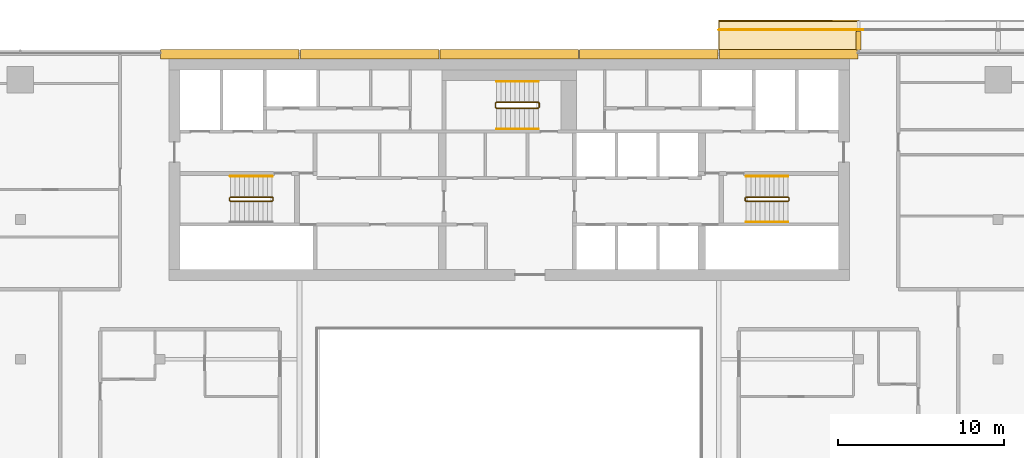
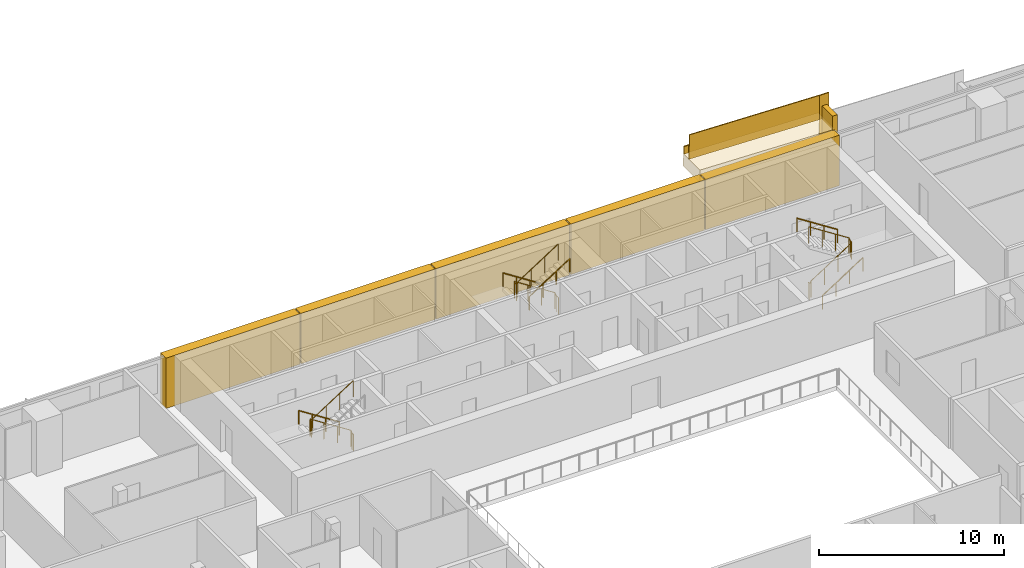
# One storey, part 29 of 31: 10 railings, 8 coverings.
"""IFC4 building model written with IfcOpenShell, lengths in metres."""

import ifcopenshell
import ifcopenshell.guid

model = None  # the IFC model being written
_history = None  # IfcOwnerHistory: only IFC2X3 demands one
_inside = {}  # id of a spatial element -> (the spatial element, [elements in it])
_under = {}  # id of a project, library or spatial element -> (it, [spatial elements below it])
_declared = {}  # id of a project -> (the project, [libraries it declares])
_typed = {}  # id of a type object -> (the type object, [elements of that type])
_made_of = {}  # id of a material, layer set ... -> (it, [elements and type objects made of it])


def new_model(schema):
    """Start an empty IFC model of exactly this schema.

    Asked for "IFC4X3", IfcOpenShell would pick the latest addendum, in which some entities
    have other attributes; the version numbers below select the first issue.
    IFC2X3 requires an IfcOwnerHistory on every rooted entity: one is made here for all.
    """
    global model, _history
    if schema == "IFC4X3":
        model = ifcopenshell.file(schema_version=(4, 3, 0, 0))
    else:
        model = ifcopenshell.file(schema=schema)
    _inside.clear()
    _under.clear()
    _declared.clear()
    _typed.clear()
    _made_of.clear()
    _history = None
    if model.schema == "IFC2X3":
        org = make("IfcOrganization", Name="unknown")
        user = make(
            "IfcPersonAndOrganization",
            ThePerson=make("IfcPerson", FamilyName="unknown"),
            TheOrganization=org,
        )
        app = make(
            "IfcApplication",
            ApplicationDeveloper=org,
            Version="unknown",
            ApplicationFullName="unknown",
            ApplicationIdentifier="unknown",
        )
        _history = make(
            "IfcOwnerHistory",
            OwningUser=user,
            OwningApplication=app,
            ChangeAction="ADDED",
            CreationDate=0,
        )
    return model


def make(cls, **values):
    """One entity of the class cls with the attributes given. An attribute that is None is left unset."""
    return model.create_entity(
        cls, **{name: value for name, value in values.items() if value is not None}
    )


def rooted(cls, **values):
    """An entity with a GlobalId (a new one), such as an element, a storey or a relation."""
    return make(cls, GlobalId=ifcopenshell.guid.new(), OwnerHistory=_history, **values)


def si_unit(unit_type, name, prefix=None):
    """IfcSIUnit, for example si_unit("LENGTHUNIT", "METRE", prefix="MILLI")."""
    return make("IfcSIUnit", UnitType=unit_type, Prefix=prefix, Name=name)


def assignment(units):
    """IfcUnitAssignment: the units of a project."""
    return None if units is None else make("IfcUnitAssignment", Units=units)


def point(xyz):
    """IfcCartesianPoint."""
    return None if xyz is None else make("IfcCartesianPoint", Coordinates=xyz)


def direction(xyz):
    """IfcDirection."""
    return None if xyz is None else make("IfcDirection", DirectionRatios=xyz)


def frame(location, z_axis=None, x_axis=None):
    """IfcAxis2Placement3D, a coordinate frame: its origin and axes. An axis left out is left unset."""
    return make(
        "IfcAxis2Placement3D",
        Location=point(location),
        Axis=direction(z_axis),
        RefDirection=direction(x_axis),
    )


def frame_2d(location, x_axis=None):
    """IfcAxis2Placement2D, a coordinate frame in the plane: its origin and x axis."""
    return make(
        "IfcAxis2Placement2D", Location=point(location), RefDirection=direction(x_axis)
    )


def origin():
    """The frame at (0, 0, 0) with its axes left unset."""
    return frame((0.0, 0.0, 0.0))


def origin_2d():
    """The frame at (0, 0) in the plane with its x axis left unset."""
    return frame_2d((0.0, 0.0))


def place(relative_to, where):
    """IfcLocalPlacement: puts the frame where relative to a parent placement (None: the world)."""
    return make(
        "IfcLocalPlacement", PlacementRelTo=relative_to, RelativePlacement=where
    )


def context(
    kind, dimensions, precision=None, world=None, true_north=None, identifier=None
):
    """IfcGeometricRepresentationContext, for example the 3D "Model" context."""
    return make(
        "IfcGeometricRepresentationContext",
        ContextIdentifier=identifier,
        ContextType=kind,
        CoordinateSpaceDimension=dimensions,
        Precision=precision,
        WorldCoordinateSystem=world,
        TrueNorth=true_north,
    )


def subcontext(parent, identifier, kind, view, scale=None):
    """IfcGeometricRepresentationSubContext, for example "Body" below "Model"."""
    return make(
        "IfcGeometricRepresentationSubContext",
        ContextIdentifier=identifier,
        ContextType=kind,
        ParentContext=parent,
        TargetScale=scale,
        TargetView=view,
    )


def project(units=None, contexts=None):
    """IfcProject with its units and contexts."""
    return rooted(
        "IfcProject",
        Name="project",
        RepresentationContexts=contexts,
        UnitsInContext=assignment(units),
    )


def spatial(cls, under=None, at=None, **own):
    """A site, building, storey or space (cls), placed at a placement, below another one or the project."""
    s = rooted(cls, ObjectPlacement=at, **own)
    if under is not None:
        _under.setdefault(under.id(), (under, []))[1].append(s)
    return s


def polyline(points):
    """IfcPolyline through the points."""
    return make("IfcPolyline", Points=[point(p) for p in points])


def profile(cls, at=None, kind="AREA", **sizes):
    """A parametric profile (cls). Its sizes go by their IFC names, for example OverallWidth=200.0."""
    return make(cls, ProfileType=kind, Position=at, **sizes)


def rectangle(**sizes):
    """IfcRectangleProfileDef."""
    return profile("IfcRectangleProfileDef", **sizes)


def circle(**sizes):
    """IfcCircleProfileDef."""
    return profile("IfcCircleProfileDef", **sizes)


def outline(outer, holes=None, kind="AREA"):
    """IfcArbitraryClosedProfileDef: a profile drawn as a closed curve; with holes, ...WithVoids."""
    if holes is None:
        return make("IfcArbitraryClosedProfileDef", ProfileType=kind, OuterCurve=outer)
    return make(
        "IfcArbitraryProfileDefWithVoids",
        ProfileType=kind,
        OuterCurve=outer,
        InnerCurves=holes,
    )


def extrude(swept, where, along, depth):
    """IfcExtrudedAreaSolid: the profile swept, set in the frame where, extruded along a direction by depth."""
    return make(
        "IfcExtrudedAreaSolid",
        SweptArea=swept,
        Position=where,
        ExtrudedDirection=direction(along),
        Depth=depth,
    )


def shape(context_of_items, identifier, shape_type, items):
    """IfcShapeRepresentation: the items that make up one representation, for example the "Body"."""
    return make(
        "IfcShapeRepresentation",
        ContextOfItems=context_of_items,
        RepresentationIdentifier=identifier,
        RepresentationType=shape_type,
        Items=items,
    )


def material(Name=None, Category=None):
    """IfcMaterial."""
    return make("IfcMaterial", Name=Name, Category=Category)


def layer(
    of_material, thickness, ventilated=None, Name=None, Category=None, Priority=None
):
    """IfcMaterialLayer: one layer of a wall or slab, of a material (None: an air gap)."""
    return make(
        "IfcMaterialLayer",
        Material=of_material,
        LayerThickness=thickness,
        IsVentilated=ventilated,
        Name=Name,
        Category=Category,
        Priority=Priority,
    )


def layer_set(layers, Name=None):
    """IfcMaterialLayerSet."""
    return make("IfcMaterialLayerSet", MaterialLayers=layers, LayerSetName=Name)


def made_of(thing, what):
    """Note that an element or type object is made of a material, layer set ...; save() writes the relation."""
    if what is not None:
        _made_of.setdefault(what.id(), (what, []))[1].append(thing)
    return thing


def type_object(cls, material=None, **own):
    """A type object (cls), such as IfcWallType, which elements share."""
    return made_of(rooted(cls, **own), material)


def element(
    cls,
    number,
    at=None,
    inside=None,
    cuts=None,
    type_object=None,
    material=None,
    context=None,
    identifier="Body",
    shape_type=None,
    held_by="IfcProductDefinitionShape",
    body=None,
    shapes=None,
    **own,
):
    """One element of the class cls, such as IfcWall. Its Tag is "e" and its number.

    at: its placement. inside: the storey or other place that contains it. cuts: it is an
    opening in that element (IfcRelVoidsElement). A single representation is given by context,
    identifier, shape_type and body (its items); several are given by shapes. held_by: the class
    of the entity that holds the representations. save() writes the other relations.
    """
    e = rooted(cls, Tag="e%d" % number, ObjectPlacement=at, **own)
    if body is not None:
        shapes = [shape(context, identifier, shape_type, body)]
    if shapes is not None:
        e.Representation = make(held_by, Representations=shapes)
    if inside is not None:
        _inside.setdefault(inside.id(), (inside, []))[1].append(e)
    if cuts is not None:
        rooted(
            "IfcRelVoidsElement", RelatingBuildingElement=cuts, RelatedOpeningElement=e
        )
    if type_object is not None:
        _typed.setdefault(type_object.id(), (type_object, []))[1].append(e)
    return made_of(e, material)


def aggregate(whole, parts):
    """IfcRelAggregates: a whole, such as a stair, and the parts it consists of."""
    return rooted("IfcRelAggregates", RelatingObject=whole, RelatedObjects=parts)


def save(model, path):
    """Write the relations noted so far, then the file.

    IfcRelAggregates (storeys below a building ...), IfcRelContainedInSpatialStructure (elements
    in a storey), IfcRelDefinesByType, IfcRelAssociatesMaterial and IfcRelDeclares: one each for
    every whole, place, type object, material and project.
    """
    for whole, parts in _under.values():
        aggregate(whole, parts)
    for where, things in _inside.values():
        rooted(
            "IfcRelContainedInSpatialStructure",
            RelatedElements=things,
            RelatingStructure=where,
        )
    for kind, things in _typed.values():
        rooted("IfcRelDefinesByType", RelatedObjects=things, RelatingType=kind)
    for what, things in _made_of.values():
        rooted("IfcRelAssociatesMaterial", RelatedObjects=things, RelatingMaterial=what)
    for by, libraries in _declared.values():
        rooted("IfcRelDeclares", RelatingContext=by, RelatedDefinitions=libraries)
    model.write(path)


model = new_model("IFC4")

# Units and contexts
model_context = context("Model", 3, precision=1e-05, world=origin(), true_north=direction((0.0, 1.0)))
body_context = subcontext(model_context, "Body", "Model", "MODEL_VIEW")
ifc_project = project(units=[si_unit("LENGTHUNIT", "METRE"), si_unit("AREAUNIT", "SQUARE_METRE"), si_unit("VOLUMEUNIT", "CUBIC_METRE"), si_unit("PLANEANGLEUNIT", "RADIAN"), si_unit("MASSUNIT", "GRAM", prefix="KILO")], contexts=[model_context])

# Site, building, storey
site_placement = place(None, origin())
site = spatial("IfcSite", under=ifc_project, at=site_placement, CompositionType="ELEMENT")
building_placement = place(site_placement, origin())
building = spatial("IfcBuilding", under=site, at=building_placement, Name="Saffron Gate Tower", CompositionType="ELEMENT")
storey_placement = place(building_placement, frame((0.0, 0.0, 205.5)))
storey = spatial("IfcBuildingStorey", under=building, at=storey_placement, Name="L49", CompositionType="ELEMENT", Elevation=205.5)

# Coverings
ifc_material_1 = material(Name="Ceramic-printed bronze insulated panel")
ifc_layer_1 = layer(ifc_material_1, 0.590087890625)
ifc_layer_set_1 = layer_set([ifc_layer_1], Name="CLD4 ceramic-printed cladding panel 590")
covering_type_1 = type_object("IfcCoveringType", Name="CLD4 ceramic-printed cladding panel 590", PredefinedType="CLADDING", material=ifc_layer_set_1)
covering_1_placement = place(storey_placement, origin())
element("IfcCovering", 1, at=covering_1_placement, inside=storey, type_object=covering_type_1, Name="CLADDING ceramic-printed panel", PredefinedType="CLADDING", context=body_context, shape_type="SweptSolid", body=[
    extrude(outline(polyline([(108.56494140625, 75.639892578125), (100.235107421875, 75.639892578125), (100.235107421875, 75.050048828125), (108.56494140625, 75.050048828125), (108.56494140625, 75.639892578125)])), origin(), (0.0, 0.0, 1.0), 3.320068359375),
])
covering_2_placement = place(storey_placement, origin())
element("IfcCovering", 2, at=covering_2_placement, inside=storey, type_object=covering_type_1, Name="CLADDING ceramic-printed panel", PredefinedType="CLADDING", context=body_context, shape_type="SweptSolid", body=[
    extrude(outline(polyline([(100.1650390625, 75.639892578125), (91.8349609375, 75.639892578125), (91.8349609375, 75.050048828125), (100.1650390625, 75.050048828125), (100.1650390625, 75.639892578125)])), origin(), (0.0, 0.0, 1.0), 3.320068359375),
])
covering_3_placement = place(storey_placement, origin())
element("IfcCovering", 3, at=covering_3_placement, inside=storey, type_object=covering_type_1, Name="CLADDING ceramic-printed panel", PredefinedType="CLADDING", context=body_context, shape_type="SweptSolid", body=[
    extrude(outline(polyline([(91.764892578125, 75.639892578125), (83.43505859375, 75.639892578125), (83.43505859375, 75.050048828125), (91.764892578125, 75.050048828125), (91.764892578125, 75.639892578125)])), origin(), (0.0, 0.0, 1.0), 3.320068359375),
])
covering_4_placement = place(storey_placement, origin())
element("IfcCovering", 4, at=covering_4_placement, inside=storey, type_object=covering_type_1, Name="CLADDING ceramic-printed panel", PredefinedType="CLADDING", context=body_context, shape_type="SweptSolid", body=[
    extrude(outline(polyline([(83.364990234375, 75.639892578125), (75.034912109375, 75.639892578125), (75.034912109375, 75.050048828125), (83.364990234375, 75.050048828125), (83.364990234375, 75.639892578125)])), origin(), (0.0, 0.0, 1.0), 3.320068359375),
])
covering_5_placement = place(storey_placement, origin())
element("IfcCovering", 5, at=covering_5_placement, inside=storey, type_object=covering_type_1, Name="CLADDING ceramic-printed panel", PredefinedType="CLADDING", context=body_context, shape_type="SweptSolid", body=[
    extrude(outline(polyline([(74.965087890625, 75.639892578125), (66.635009765625, 75.639892578125), (66.635009765625, 75.050048828125), (74.965087890625, 75.050048828125), (74.965087890625, 75.639892578125)])), origin(), (0.0, 0.0, 1.0), 3.320068359375),
])

# Railings
ifc_material_2 = material(Name="Stainless steel and laminated glass", Category="steel")
railing_type_1 = type_object("IfcRailingType", Name="CR1 Stair guard 1100", PredefinedType="GUARDRAIL", material=ifc_material_2)
railing_1_placement = place(storey_placement, frame((73.39990234375, 66.550048828125, 0.0)))
element("IfcRailing", 6, at=railing_1_placement, inside=storey, type_object=railing_type_1, Name="L49 ST-A stair guard 1", PredefinedType="GUARDRAIL", context=body_context, shape_type="SweptSolid", body=[
    extrude(circle(Radius=0.02392578125, at=origin_2d()), frame((0.0, 0.0, 1.076171875), z_axis=(0.0, 1.0, 0.0), x_axis=(-1.0, 0.0, 0.0)), (0.0, 0.0, 1.0), 0.14990234375),
    extrude(circle(Radius=0.02392578125, at=origin_2d()), frame((0.0, 0.14990234375, 1.076171875), z_axis=(-0.257669022063, 0.258932105505, 0.930892496375), x_axis=(-0.708833529934, -0.705375805398, 0.0)), (0.0, 0.0, 1.0), 0.193359375),
    extrude(circle(Radius=0.02392578125, at=origin_2d()), frame((-0.0498046875, 0.199951171875, 1.255859375), z_axis=(-0.841162588446, 0.0, 0.540782303519), x_axis=(0.0, -1.0, 0.0)), (0.0, 0.0, 1.0), 2.995849609375),
    extrude(circle(Radius=0.02392578125, at=origin_2d()), frame((-2.56982421875, 0.199951171875, 2.8759765625), z_axis=(-0.707106781187, -0.707106781187, 0.0), x_axis=(0.707106781187, -0.707106781187, 0.0)), (0.0, 0.0, 1.0), 0.07080078125),
    extrude(circle(Radius=0.02392578125, at=origin_2d()), frame((-2.619873046875, 0.14990234375, 2.8759765625), z_axis=(0.0, -1.0, 0.0), x_axis=(1.0, 0.0, 0.0)), (0.0, 0.0, 1.0), 0.14990234375),
    extrude(circle(Radius=0.02392578125, at=origin_2d()), frame((-2.619873046875, 0.0, 2.8759765625), z_axis=(0.258847668887, -0.258847668887, 0.930588936439), x_axis=(0.707106781187, 0.707106781187, 0.0)), (0.0, 0.0, 1.0), 0.193359375),
    extrude(circle(Radius=0.02392578125, at=origin_2d()), frame((-2.56982421875, -0.050048828125, 3.05615234375), z_axis=(0.841162588446, 0.0, 0.540782303519), x_axis=(0.0, 1.0, 0.0)), (0.0, 0.0, 1.0), 2.995849609375),
    extrude(circle(Radius=0.02099609375, at=origin_2d()), origin(), (0.0, 0.0, 1.0), 1.052001953125),
    extrude(circle(Radius=0.02099609375, at=origin_2d()), frame((0.0, 0.14990234375, 0.0)), (0.0, 0.0, 1.0), 1.052001953125),
    extrude(circle(Radius=0.02099609375, at=origin_2d()), frame((-0.0498046875, 0.199951171875, 0.179931640625)), (0.0, 0.0, 1.0), 1.052001953125),
    extrude(circle(Radius=0.02099609375, at=origin_2d()), frame((-0.889892578125, 0.199951171875, 0.719970703125)), (0.0, 0.0, 1.0), 1.052001953125),
    extrude(circle(Radius=0.02099609375, at=origin_2d()), frame((-1.729736328125, 0.199951171875, 1.260009765625)), (0.0, 0.0, 1.0), 1.052001953125),
    extrude(circle(Radius=0.02099609375, at=origin_2d()), frame((-2.56982421875, 0.199951171875, 1.800048828125)), (0.0, 0.0, 1.0), 1.052001953125),
    extrude(circle(Radius=0.02099609375, at=origin_2d()), frame((-2.619873046875, 0.14990234375, 1.800048828125)), (0.0, 0.0, 1.0), 1.052001953125),
    extrude(circle(Radius=0.02099609375, at=origin_2d()), frame((-2.619873046875, 0.0, 1.800048828125)), (0.0, 0.0, 1.0), 1.052001953125),
    extrude(circle(Radius=0.02099609375, at=origin_2d()), frame((-2.56982421875, -0.050048828125, 1.97998046875)), (0.0, 0.0, 1.0), 1.052001953125),
    extrude(circle(Radius=0.02099609375, at=origin_2d()), frame((-1.729736328125, -0.050048828125, 2.52001953125)), (0.0, 0.0, 1.0), 1.052001953125),
    extrude(circle(Radius=0.02099609375, at=origin_2d()), frame((-0.889892578125, -0.050048828125, 3.06005859375)), (0.0, 0.0, 1.0), 1.052001953125),
    extrude(circle(Radius=0.02099609375, at=origin_2d()), frame((-0.0498046875, -0.050048828125, 3.60009765625)), (0.0, 0.0, 1.0), 1.052001953125),
])
railing_2_placement = place(storey_placement, frame((101.800048828125, 66.699951171875, 0.0)))
element("IfcRailing", 7, at=railing_2_placement, inside=storey, type_object=railing_type_1, Name="L49 ST-B stair guard 1", PredefinedType="GUARDRAIL", context=body_context, shape_type="SweptSolid", body=[
    extrude(circle(Radius=0.02392578125, at=origin_2d()), frame((0.0, 0.0, 1.076171875), z_axis=(0.0, -1.0, 0.0), x_axis=(1.0, 0.0, 0.0)), (0.0, 0.0, 1.0), 0.14990234375),
    extrude(circle(Radius=0.02392578125, at=origin_2d()), frame((0.0, -0.14990234375, 1.076171875), z_axis=(0.258847668887, -0.258847668887, 0.930588936439), x_axis=(0.707106781187, 0.707106781187, 0.0)), (0.0, 0.0, 1.0), 0.193359375),
    extrude(circle(Radius=0.02392578125, at=origin_2d()), frame((0.050048828125, -0.199951171875, 1.255859375), z_axis=(0.841162588446, 0.0, 0.540782303519), x_axis=(0.0, 1.0, 0.0)), (0.0, 0.0, 1.0), 2.995849609375),
    extrude(circle(Radius=0.02392578125, at=origin_2d()), frame((2.570068359375, -0.199951171875, 2.8759765625), z_axis=(0.705375805398, 0.708833529934, 0.0), x_axis=(-0.708833529934, 0.705375805398, 0.0)), (0.0, 0.0, 1.0), 0.070556640625),
    extrude(circle(Radius=0.02392578125, at=origin_2d()), frame((2.619873046875, -0.14990234375, 2.8759765625), z_axis=(0.0, 1.0, 0.0), x_axis=(-1.0, 0.0, 0.0)), (0.0, 0.0, 1.0), 0.14990234375),
    extrude(circle(Radius=0.02392578125, at=origin_2d()), frame((2.619873046875, 0.0, 2.8759765625), z_axis=(-0.257669022063, 0.258932105505, 0.930892496375), x_axis=(-0.708833529934, -0.705375805398, 0.0)), (0.0, 0.0, 1.0), 0.193359375),
    extrude(circle(Radius=0.02392578125, at=origin_2d()), frame((2.570068359375, 0.050048828125, 3.05615234375), z_axis=(-0.841162588446, 0.0, 0.540782303519), x_axis=(0.0, -1.0, 0.0)), (0.0, 0.0, 1.0), 2.995849609375),
    extrude(circle(Radius=0.02099609375, at=origin_2d()), origin(), (0.0, 0.0, 1.0), 1.052001953125),
    extrude(circle(Radius=0.02099609375, at=origin_2d()), frame((0.0, -0.14990234375, 0.0)), (0.0, 0.0, 1.0), 1.052001953125),
    extrude(circle(Radius=0.02099609375, at=origin_2d()), frame((0.050048828125, -0.199951171875, 0.179931640625)), (0.0, 0.0, 1.0), 1.052001953125),
    extrude(circle(Radius=0.02099609375, at=origin_2d()), frame((0.89013671875, -0.199951171875, 0.719970703125)), (0.0, 0.0, 1.0), 1.052001953125),
    extrude(circle(Radius=0.02099609375, at=origin_2d()), frame((1.72998046875, -0.199951171875, 1.260009765625)), (0.0, 0.0, 1.0), 1.052001953125),
    extrude(circle(Radius=0.02099609375, at=origin_2d()), frame((2.570068359375, -0.199951171875, 1.800048828125)), (0.0, 0.0, 1.0), 1.052001953125),
    extrude(circle(Radius=0.02099609375, at=origin_2d()), frame((2.619873046875, -0.14990234375, 1.800048828125)), (0.0, 0.0, 1.0), 1.052001953125),
    extrude(circle(Radius=0.02099609375, at=origin_2d()), frame((2.619873046875, 0.0, 1.800048828125)), (0.0, 0.0, 1.0), 1.052001953125),
    extrude(circle(Radius=0.02099609375, at=origin_2d()), frame((2.570068359375, 0.050048828125, 1.97998046875)), (0.0, 0.0, 1.0), 1.052001953125),
    extrude(circle(Radius=0.02099609375, at=origin_2d()), frame((1.72998046875, 0.050048828125, 2.52001953125)), (0.0, 0.0, 1.0), 1.052001953125),
    extrude(circle(Radius=0.02099609375, at=origin_2d()), frame((0.89013671875, 0.050048828125, 3.06005859375)), (0.0, 0.0, 1.0), 1.052001953125),
    extrude(circle(Radius=0.02099609375, at=origin_2d()), frame((0.050048828125, 0.050048828125, 3.60009765625)), (0.0, 0.0, 1.0), 1.052001953125),
])
railing_3_placement = place(storey_placement, frame((89.39990234375, 72.14990234375, 0.0)))
element("IfcRailing", 8, at=railing_3_placement, inside=storey, type_object=railing_type_1, Name="L49 ST-C stair guard 1", PredefinedType="GUARDRAIL", context=body_context, shape_type="SweptSolid", body=[
    extrude(circle(Radius=0.02392578125, at=origin_2d()), frame((0.0, 0.0, 1.076171875), z_axis=(0.0, 1.0, 0.0), x_axis=(-1.0, 0.0, 0.0)), (0.0, 0.0, 1.0), 0.25),
    extrude(circle(Radius=0.02392578125, at=origin_2d()), frame((0.0, 0.25, 1.076171875), z_axis=(-0.257669022063, 0.258932105505, 0.930892496375), x_axis=(-0.708833529934, -0.705375805398, 0.0)), (0.0, 0.0, 1.0), 0.193359375),
    extrude(circle(Radius=0.02392578125, at=origin_2d()), frame((-0.0498046875, 0.300048828125, 1.255859375), z_axis=(-0.841162588446, 0.0, 0.540782303519), x_axis=(0.0, -1.0, 0.0)), (0.0, 0.0, 1.0), 2.995849609375),
    extrude(circle(Radius=0.02392578125, at=origin_2d()), frame((-2.56982421875, 0.300048828125, 2.8759765625), z_axis=(-0.707106781187, -0.707106781187, 0.0), x_axis=(0.707106781187, -0.707106781187, 0.0)), (0.0, 0.0, 1.0), 0.07080078125),
    extrude(circle(Radius=0.02392578125, at=origin_2d()), frame((-2.619873046875, 0.25, 2.8759765625), z_axis=(0.0, -1.0, 0.0), x_axis=(1.0, 0.0, 0.0)), (0.0, 0.0, 1.0), 0.25),
    extrude(circle(Radius=0.02392578125, at=origin_2d()), frame((-2.619873046875, 0.0, 2.8759765625), z_axis=(0.258932105505, -0.257669022063, 0.930892496375), x_axis=(0.705375805398, 0.708833529934, 0.0)), (0.0, 0.0, 1.0), 0.193359375),
    extrude(circle(Radius=0.02392578125, at=origin_2d()), frame((-2.56982421875, -0.0498046875, 3.05615234375), z_axis=(0.841162588446, 0.0, 0.540782303519), x_axis=(0.0, 1.0, 0.0)), (0.0, 0.0, 1.0), 2.995849609375),
    extrude(circle(Radius=0.02099609375, at=origin_2d()), origin(), (0.0, 0.0, 1.0), 1.052001953125),
    extrude(circle(Radius=0.02099609375, at=origin_2d()), frame((0.0, 0.25, 0.0)), (0.0, 0.0, 1.0), 1.052001953125),
    extrude(circle(Radius=0.02099609375, at=origin_2d()), frame((-0.0498046875, 0.300048828125, 0.179931640625)), (0.0, 0.0, 1.0), 1.052001953125),
    extrude(circle(Radius=0.02099609375, at=origin_2d()), frame((-0.889892578125, 0.300048828125, 0.719970703125)), (0.0, 0.0, 1.0), 1.052001953125),
    extrude(circle(Radius=0.02099609375, at=origin_2d()), frame((-1.729736328125, 0.300048828125, 1.260009765625)), (0.0, 0.0, 1.0), 1.052001953125),
    extrude(circle(Radius=0.02099609375, at=origin_2d()), frame((-2.56982421875, 0.300048828125, 1.800048828125)), (0.0, 0.0, 1.0), 1.052001953125),
    extrude(circle(Radius=0.02099609375, at=origin_2d()), frame((-2.619873046875, 0.25, 1.800048828125)), (0.0, 0.0, 1.0), 1.052001953125),
    extrude(circle(Radius=0.02099609375, at=origin_2d()), frame((-2.619873046875, 0.0, 1.800048828125)), (0.0, 0.0, 1.0), 1.052001953125),
    extrude(circle(Radius=0.02099609375, at=origin_2d()), frame((-2.56982421875, -0.0498046875, 1.97998046875)), (0.0, 0.0, 1.0), 1.052001953125),
    extrude(circle(Radius=0.02099609375, at=origin_2d()), frame((-1.729736328125, -0.0498046875, 2.52001953125)), (0.0, 0.0, 1.0), 1.052001953125),
    extrude(circle(Radius=0.02099609375, at=origin_2d()), frame((-0.889892578125, -0.0498046875, 3.06005859375)), (0.0, 0.0, 1.0), 1.052001953125),
    extrude(circle(Radius=0.02099609375, at=origin_2d()), frame((-0.0498046875, -0.0498046875, 3.60009765625)), (0.0, 0.0, 1.0), 1.052001953125),
])
ifc_material_3 = material(Name="Stainless steel", Category="steel")
railing_type_2 = type_object("IfcRailingType", Name="CR2 Stair handrail 900", PredefinedType="HANDRAIL", material=ifc_material_3)
railing_4_placement = place(storey_placement, frame((73.35009765625, 68.0, 0.179931640625)))
element("IfcRailing", 9, at=railing_4_placement, inside=storey, type_object=railing_type_2, Name="L49 ST-A stair handrail 1", PredefinedType="HANDRAIL", context=body_context, shape_type="SweptSolid", body=[
    extrude(circle(Radius=0.02392578125, at=origin_2d()), frame((0.0, 0.0, 0.8759765625), z_axis=(-0.841162588446, 0.0, 0.540782303519), x_axis=(0.0, -1.0, 0.0)), (0.0, 0.0, 1.0), 2.995849609375),
    extrude(circle(Radius=0.02099609375, at=origin_2d()), origin(), (0.0, 0.0, 1.0), 0.851806640625),
    extrude(circle(Radius=0.02099609375, at=origin_2d()), frame((-0.840087890625, 0.0, 0.5400390625)), (0.0, 0.0, 1.0), 0.851806640625),
    extrude(circle(Radius=0.02099609375, at=origin_2d()), frame((-1.679931640625, 0.0, 1.080078125)), (0.0, 0.0, 1.0), 0.851806640625),
    extrude(circle(Radius=0.02099609375, at=origin_2d()), frame((-2.52001953125, 0.0, 1.6201171875)), (0.0, 0.0, 1.0), 0.851806640625),
])
railing_5_placement = place(storey_placement, frame((101.85009765625, 65.25, 0.179931640625)))
element("IfcRailing", 10, at=railing_5_placement, inside=storey, type_object=railing_type_2, Name="L49 ST-B stair handrail 1", PredefinedType="HANDRAIL", context=body_context, shape_type="SweptSolid", body=[
    extrude(circle(Radius=0.02392578125, at=origin_2d()), frame((0.0, 0.0, 0.8759765625), z_axis=(0.841162588446, 0.0, 0.540782303519), x_axis=(0.0, 1.0, 0.0)), (0.0, 0.0, 1.0), 2.995849609375),
    extrude(circle(Radius=0.02099609375, at=origin_2d()), origin(), (0.0, 0.0, 1.0), 0.851806640625),
    extrude(circle(Radius=0.02099609375, at=origin_2d()), frame((0.840087890625, 0.0, 0.5400390625)), (0.0, 0.0, 1.0), 0.851806640625),
    extrude(circle(Radius=0.02099609375, at=origin_2d()), frame((1.679931640625, 0.0, 1.080078125)), (0.0, 0.0, 1.0), 0.851806640625),
    extrude(circle(Radius=0.02099609375, at=origin_2d()), frame((2.52001953125, 0.0, 1.6201171875)), (0.0, 0.0, 1.0), 0.851806640625),
])
for number, where, name in (
    (11, (104.3701171875, 68.0, 1.97998046875), "L49 ST-B stair handrail 2"),
    (12, (89.35009765625, 73.699951171875, 0.179931640625), "L49 ST-C stair handrail 1"),
):
    element("IfcRailing", number, at=place(storey_placement, frame(where)), inside=storey, type_object=railing_type_2, Name=name, PredefinedType="HANDRAIL", context=body_context, shape_type="SweptSolid", body=[
        extrude(circle(Radius=0.02392578125, at=origin_2d()), frame((0.0, 0.0, 0.8759765625), z_axis=(-0.841162588446, 0.0, 0.540782303519), x_axis=(0.0, -1.0, 0.0)), (0.0, 0.0, 1.0), 2.995849609375),
        extrude(circle(Radius=0.02099609375, at=origin_2d()), origin(), (0.0, 0.0, 1.0), 0.851806640625),
        extrude(circle(Radius=0.02099609375, at=origin_2d()), frame((-0.840087890625, 0.0, 0.5400390625)), (0.0, 0.0, 1.0), 0.851806640625),
        extrude(circle(Radius=0.02099609375, at=origin_2d()), frame((-1.679931640625, 0.0, 1.080078125)), (0.0, 0.0, 1.0), 0.851806640625),
        extrude(circle(Radius=0.02099609375, at=origin_2d()), frame((-2.52001953125, 0.0, 1.6201171875)), (0.0, 0.0, 1.0), 0.851806640625),
    ])
railing_6_placement = place(storey_placement, frame((86.830078125, 70.85009765625, 1.97998046875)))
element("IfcRailing", 13, at=railing_6_placement, inside=storey, type_object=railing_type_2, Name="L49 ST-C stair handrail 2", PredefinedType="HANDRAIL", context=body_context, shape_type="SweptSolid", body=[
    extrude(circle(Radius=0.02392578125, at=origin_2d()), frame((0.0, 0.0, 0.8759765625), z_axis=(0.841162588446, 0.0, 0.540782303519), x_axis=(0.0, 1.0, 0.0)), (0.0, 0.0, 1.0), 2.995849609375),
    extrude(circle(Radius=0.02099609375, at=origin_2d()), origin(), (0.0, 0.0, 1.0), 0.851806640625),
    extrude(circle(Radius=0.02099609375, at=origin_2d()), frame((0.840087890625, 0.0, 0.5400390625)), (0.0, 0.0, 1.0), 0.851806640625),
    extrude(circle(Radius=0.02099609375, at=origin_2d()), frame((1.679931640625, 0.0, 1.080078125)), (0.0, 0.0, 1.0), 0.851806640625),
    extrude(circle(Radius=0.02099609375, at=origin_2d()), frame((2.52001953125, 0.0, 1.6201171875)), (0.0, 0.0, 1.0), 0.851806640625),
])

# Coverings
ifc_material_4 = material(Name="Timber, thermally modified ash", Category="wood")
ifc_layer_2 = layer(ifc_material_4, 0.800048828125)
ifc_layer_set_2 = layer_set([ifc_layer_2], Name="LD1 ledge timber")
covering_type_2 = type_object("IfcCoveringType", Name="LD1 ledge timber", PredefinedType="CLADDING", material=ifc_layer_set_2)
covering_6_placement = place(storey_placement, frame((108.60009765625, 75.60009765625, 3.37255859375), z_axis=(0.028790339263, 0.0, 0.999585472266), x_axis=(-0.999585472266, 0.0, 0.028790339263)))
element("IfcCovering", 14, at=covering_6_placement, inside=storey, type_object=covering_type_2, Name="LEDGE", PredefinedType="CLADDING", context=body_context, shape_type="SweptSolid", body=[
    extrude(outline(polyline([(0.0, 0.0), (8.403630022085892, 0.0), (8.403630022085892, -1.7998046875), (0.0, -1.7998046875), (0.0, 0.0)])), origin(), (0.0, 0.0, -1.0), 0.800048828125),
])
ifc_layer_3 = layer(ifc_material_4, 0.080078125)
ifc_layer_set_3 = layer_set([ifc_layer_3], Name="LD2 ledge planter trough")
covering_type_3 = type_object("IfcCoveringType", Name="LD2 ledge planter trough", PredefinedType="CLADDING", material=ifc_layer_set_3)
covering_7_placement = place(storey_placement, frame((108.60009765625, 77.39990234375, 3.37255859375), z_axis=(0.0, 1.0, 0.0), x_axis=(-0.999585472266, 0.0, 0.028790339263)))
element("IfcCovering", 15, at=covering_7_placement, inside=storey, type_object=covering_type_3, Name="LEDGE planter trough", PredefinedType="CLADDING", context=body_context, shape_type="SweptSolid", body=[
    extrude(outline(polyline([(0.0, 0.0), (8.403630022085892, 0.0), (8.418025191717298, 0.4997927361329725), (0.014395169631405694, 0.4997927361329725), (0.0, 0.0)])), origin(), (0.0, 0.0, -1.0), 0.080078125),
])
ifc_layer_4 = layer(ifc_material_4, 0.300048828125)
ifc_layer_set_4 = layer_set([ifc_layer_4], Name="LD3 ledge riser fin")
covering_type_4 = type_object("IfcCoveringType", Name="LD3 ledge riser fin", PredefinedType="CLADDING", material=ifc_layer_set_4)
covering_8_placement = place(storey_placement, frame((108.60009765625, 76.159912109375, 1.372314453125), z_axis=(0.0, 0.0, 1.0), x_axis=(-1.0, 0.0, 0.0)))
element("IfcCovering", 16, at=covering_8_placement, inside=storey, type_object=covering_type_4, Name="LEDGE riser fin", PredefinedType="CLADDING", context=body_context, shape_type="SweptSolid", body=[
    extrude(rectangle(XDim=0.300048828125, YDim=1.1201171875, at=origin_2d()), origin(), (0.0, 0.0, 1.0), 2.900390625),
])

# Railings
railing_type_3 = type_object("IfcRailingType", Name="LG1 ledge balustrade", PredefinedType="BALUSTRADE", material=ifc_material_4)
railing_7_placement = place(storey_placement, frame((108.60009765625, 76.800048828125, 3.37255859375)))
element("IfcRailing", 17, at=railing_7_placement, inside=storey, type_object=railing_type_3, Name="LEDGE BALUSTRADE", PredefinedType="BALUSTRADE", context=body_context, shape_type="SweptSolid", body=[
    extrude(rectangle(XDim=0.06005859375, YDim=1.60009765625, at=origin_2d()), frame((0.0, 0.0, 0.800048828125), z_axis=(-0.999585472266, 0.0, 0.028790339263), x_axis=(0.0, -1.0, 0.0)), (0.0, 0.0, 1.0), 8.403564453125),
])
railing_8_placement = place(storey_placement, frame((108.89990234375, 76.800048828125, 2.172119140625)))
element("IfcRailing", 18, at=railing_8_placement, inside=storey, type_object=railing_type_3, Name="LEDGE BALUSTRADE", PredefinedType="BALUSTRADE", context=body_context, shape_type="SweptSolid", body=[
    extrude(rectangle(XDim=0.06005859375, YDim=2.80029296875, at=origin_2d()), frame((0.0, 0.0, 1.400146484375), z_axis=(-1.0, 0.0, 0.0), x_axis=(0.0, -1.0, 0.0)), (0.0, 0.0, 1.0), 0.599853515625),
])

save(model, "model.ifc")
